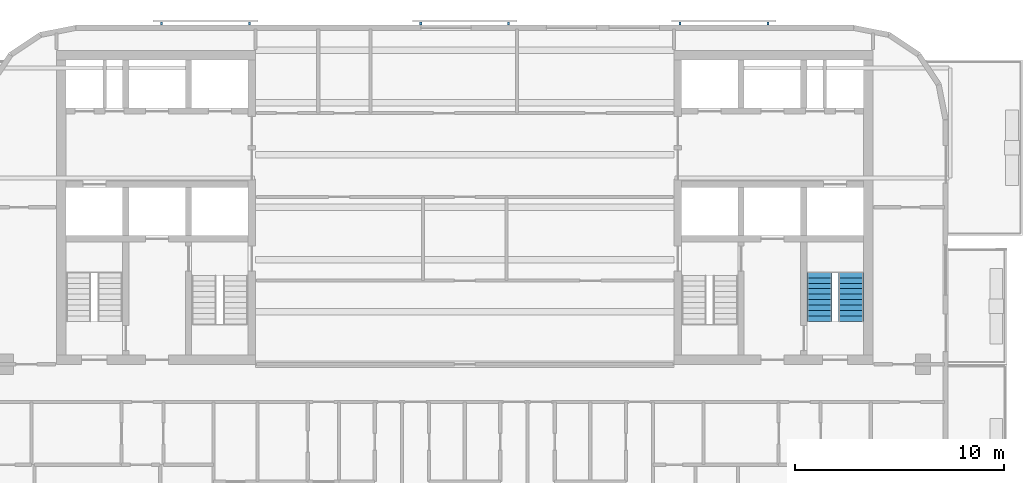
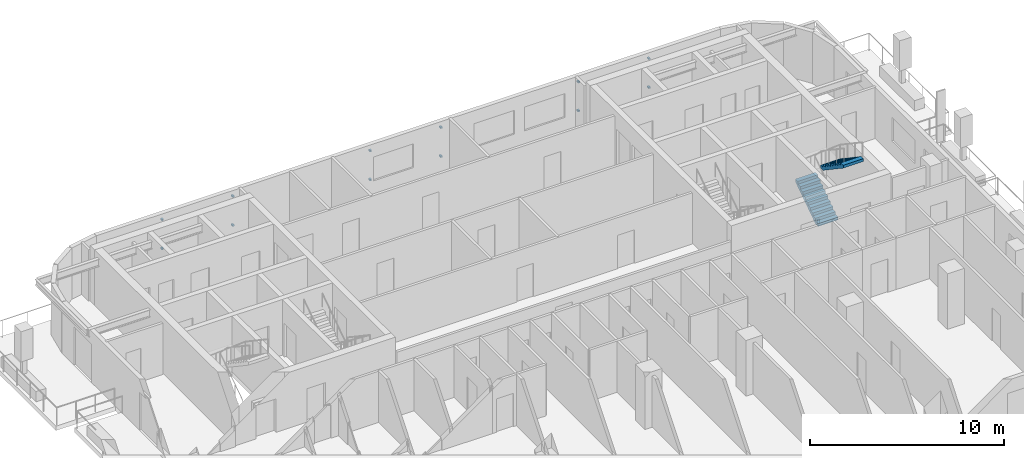
# One storey, part 8 of 11: 12 discrete accessories, 2 stair flights, 1 element without a shape of its own.
"""IFC4 building model written with IfcOpenShell, lengths in metres."""

from ifc_helpers import new_model, si_unit, direction, frame, origin, origin_2d, place, context, subcontext, project, spatial, polyline, rectangle, outline, extrude, material, type_object, element, aggregate, save


model = new_model("IFC4")

# Units and contexts
model_context = context("Model", 3, precision=1e-05, world=origin(), true_north=direction((0.0, 1.0)))
body_context = subcontext(model_context, "Body", "Model", "MODEL_VIEW")
ifc_project = project(units=[si_unit("LENGTHUNIT", "METRE"), si_unit("AREAUNIT", "SQUARE_METRE"), si_unit("VOLUMEUNIT", "CUBIC_METRE"), si_unit("PLANEANGLEUNIT", "RADIAN"), si_unit("MASSUNIT", "GRAM", prefix="KILO")], contexts=[model_context])

# Site, building, storey
site_placement = place(None, origin())
site = spatial("IfcSite", under=ifc_project, at=site_placement, CompositionType="ELEMENT")
building_placement = place(site_placement, origin())
building = spatial("IfcBuilding", under=site, at=building_placement, Name="Torana Hotel and Residences", CompositionType="ELEMENT")
storey_placement = place(building_placement, frame((0.0, 0.0, 259.60009765625)))
storey = spatial("IfcBuildingStorey", under=building, at=storey_placement, Name="L68", CompositionType="ELEMENT", Elevation=259.60009765625)

# Stair, stair flights
ifc_material_1 = material(Name="Concrete C40/50 precast", Category="concrete")
stair_type = type_object("IfcStairType", Name="STAIR ST4 HALF TURN 1200", PredefinedType="HALF_TURN_STAIR", material=ifc_material_1)
stair_placement = place(storey_placement, origin())
stair = element("IfcStair", 1, at=stair_placement, inside=storey, type_object=stair_type, Name="Stair ST4 L68", PredefinedType="HALF_TURN_STAIR")
ifc_material_2 = material(Name="Concrete C40/50 precast", Category="concrete")
stair_flight_type = type_object("IfcStairFlightType", Name="STAIR FLIGHT 1200 PRECAST", PredefinedType="STRAIGHT", material=ifc_material_2)
stair_flight_1_placement = place(storey_placement, frame((16.949951171875, -12.949951171875, 0.0), z_axis=(0.0, 0.0, 1.0), x_axis=(0.0, 1.0, 0.0)))
stair_flight_1 = element("IfcStairFlight", 2, at=stair_flight_1_placement, type_object=stair_flight_type, Name="ST4 flight 1", NumberOfRisers=10, NumberOfTreads=9, PredefinedType="STRAIGHT", RiserHeight=0.175, TreadLength=0.26, context=body_context, shape_type="SweptSolid", body=[
    extrude(outline(polyline([(0.0, 0.0), (0.0, 0.175048828125), (0.260009765625, 0.175048828125), (0.260009765625, 0.35009765625), (0.52001953125, 0.35009765625), (0.52001953125, 0.52490234375), (0.780029296875, 0.52490234375), (0.780029296875, 0.699951171875), (1.0400390625, 0.699951171875), (1.0400390625, 0.875), (1.300048828125, 0.875), (1.300048828125, 1.050048828125), (1.56005859375, 1.050048828125), (1.56005859375, 1.22509765625), (1.820068359375, 1.22509765625), (1.820068359375, 1.39990234375), (2.080078125, 1.39990234375), (2.080078125, 1.574951171875), (2.340087890625, 1.574951171875), (2.340087890625, 1.75), (2.340087890625, 1.394287109375), (0.2685546875, 0.0), (0.0, 0.0)])), frame((0.0, 0.60009765625, 0.0), z_axis=(0.0, -1.0, 0.0), x_axis=(1.0, 0.0, 0.0)), (0.0, 0.0, 1.0), 1.199951171875),
])
stair_flight_2_placement = place(storey_placement, frame((18.449951171875, -10.610107421875, 1.75), z_axis=(0.0, 0.0, 1.0), x_axis=(0.0, -1.0, 0.0)))
stair_flight_2 = element("IfcStairFlight", 3, at=stair_flight_2_placement, type_object=stair_flight_type, Name="ST4 flight 2", NumberOfRisers=10, NumberOfTreads=9, PredefinedType="STRAIGHT", RiserHeight=0.175, TreadLength=0.26, context=body_context, shape_type="SweptSolid", body=[
    extrude(outline(polyline([(0.0, 0.0), (0.0, 0.175048828125), (0.260009765625, 0.175048828125), (0.260009765625, 0.35009765625), (0.52001953125, 0.35009765625), (0.52001953125, 0.52490234375), (0.780029296875, 0.52490234375), (0.780029296875, 0.699951171875), (1.0400390625, 0.699951171875), (1.0400390625, 0.875), (1.300048828125, 0.875), (1.300048828125, 1.050048828125), (1.56005859375, 1.050048828125), (1.56005859375, 1.22509765625), (1.820068359375, 1.22509765625), (1.820068359375, 1.39990234375), (2.080078125, 1.39990234375), (2.080078125, 1.574951171875), (2.340087890625, 1.574951171875), (2.340087890625, 1.75), (2.340087890625, 1.394287109375), (0.2685546875, 0.0), (0.0, 0.0)])), frame((0.0, 0.60009765625, 0.0), z_axis=(0.0, -1.0, 0.0), x_axis=(1.0, 0.0, 0.0)), (0.0, 0.0, 1.0), 1.199951171875),
])
aggregate(stair, [stair_flight_1, stair_flight_2])

# Discrete accessories
ifc_material_3 = material(Name="Steel S355", Category="steel")
discrete_accessory_type = type_object("IfcDiscreteAccessoryType", Name="SCREEN BRACKET 100", PredefinedType="BRACKET", material=ifc_material_3)
for number, where, z_axis, x_axis, name in (
    (4, (14.483642578125, 1.27490234375, 0.749755859375), (0.0, 0.0, 1.0), (-1.0, 0.0, 0.0), "Screen bracket L68"),
    (5, (14.483642578125, 1.27490234375, 2.56982421875), (0.0, 0.0, 1.0), (-1.0, 0.0, 0.0), "Screen bracket L68"),
    (6, (10.28369140625, 1.27490234375, 0.749755859375), (0.0, 0.0, 1.0), (-1.0, 0.0, 0.0), "Screen bracket L68"),
    (7, (10.28369140625, 1.27490234375, 2.56982421875), (0.0, 0.0, 1.0), (-1.0, 0.0, 0.0), "Screen bracket L68"),
    (8, (2.10009765625, 1.27490234375, 0.749755859375), (0.0, 0.0, 1.0), (-1.0, 0.0, 0.0), "Screen bracket L68"),
    (9, (2.10009765625, 1.27490234375, 2.56982421875), (0.0, 0.0, 1.0), (-1.0, 0.0, 0.0), "Screen bracket L68"),
    (10, (-2.10009765625, 1.27490234375, 0.749755859375), (0.0, 0.0, 1.0), (-1.0, 0.0, 0.0), "Screen bracket L68"),
    (11, (-2.10009765625, 1.27490234375, 2.56982421875), (0.0, 0.0, 1.0), (-1.0, 0.0, 0.0), "Screen bracket L68"),
    (12, (-10.28369140625, 1.27490234375, 0.749755859375), (0.0, 0.0, 1.0), (-1.0, 0.0, 0.0), "Screen bracket L68"),
    (13, (-10.28369140625, 1.27490234375, 2.56982421875), (0.0, 0.0, 1.0), (-1.0, 0.0, 0.0), "Screen bracket L68"),
    (14, (-14.483642578125, 1.27490234375, 0.749755859375), (0.0, 0.0, 1.0), (-1.0, 0.0, 0.0), "Screen bracket L68"),
    (15, (-14.483642578125, 1.27490234375, 2.56982421875), (0.0, 0.0, 1.0), (-1.0, 0.0, 0.0), "Screen bracket L68"),
):
    element("IfcDiscreteAccessory", number, at=place(storey_placement, frame(where, z_axis=z_axis, x_axis=x_axis)), inside=storey, type_object=discrete_accessory_type, Name=name, PredefinedType="BRACKET", context=body_context, shape_type="SweptSolid", body=[
        extrude(rectangle(XDim=0.10009765625, YDim=0.14990234375, at=origin_2d()), origin(), (0.0, 0.0, 1.0), 0.10009765625),
    ])

save(model, "model.ifc")
